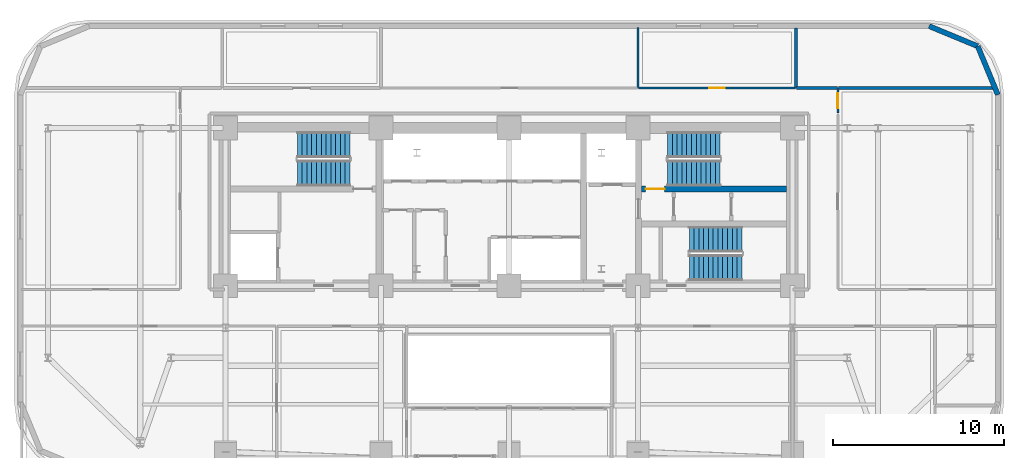
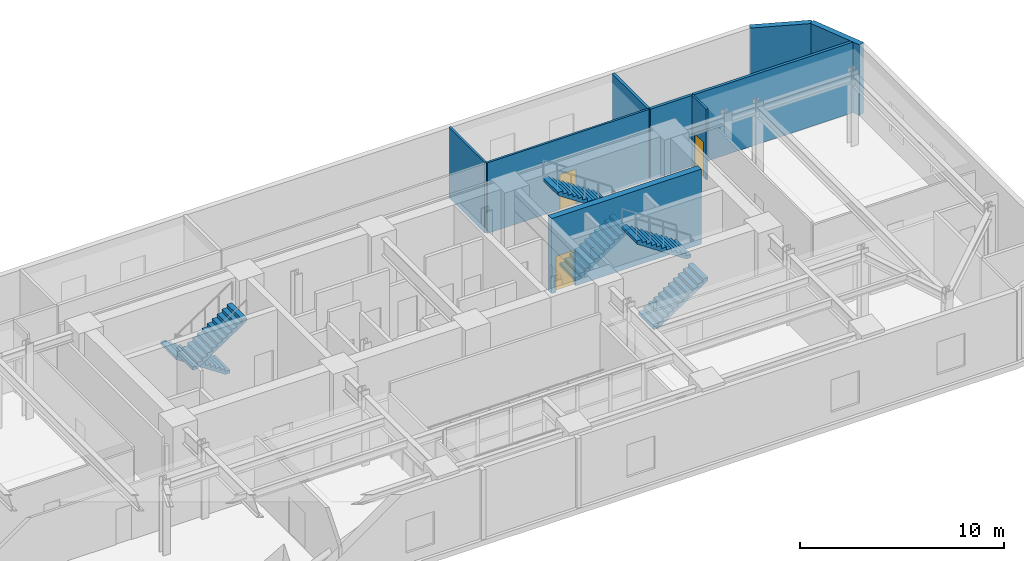
# One storey, part 11 of 14: 9 walls, 6 stair flights, 3 doors, 3 openings, 3 elements without a shape of their own.
"""IFC4 building model written with IfcOpenShell, lengths in metres."""

from ifc_helpers import new_model, si_unit, direction, frame, frame_2d, origin, place, context, subcontext, project, spatial, polyline, rectangle, outline, extrude, material, layer, layer_set, type_object, element, fill, aggregate, save


model = new_model("IFC4")

# Units and contexts
model_context = context("Model", 3, precision=1e-05, world=origin(), true_north=direction((0.0, 1.0)))
body_context = subcontext(model_context, "Body", "Model", "MODEL_VIEW")
ifc_project = project(units=[si_unit("LENGTHUNIT", "METRE"), si_unit("AREAUNIT", "SQUARE_METRE"), si_unit("VOLUMEUNIT", "CUBIC_METRE"), si_unit("PLANEANGLEUNIT", "RADIAN"), si_unit("MASSUNIT", "GRAM", prefix="KILO")], contexts=[model_context])

# Site, building, storey
site_placement = place(None, origin())
site = spatial("IfcSite", under=ifc_project, at=site_placement, CompositionType="ELEMENT")
building_placement = place(site_placement, origin())
building = spatial("IfcBuilding", under=site, at=building_placement, Name="Zarnavel Station Tower", CompositionType="ELEMENT")
storey_placement = place(building_placement, frame((0.0, 0.0, 89.800048828125)))
storey = spatial("IfcBuildingStorey", under=building, at=storey_placement, Name="L24", CompositionType="ELEMENT", Elevation=89.800048828125)

# Wall, opening, door
ifc_material_1 = material(Name="Concrete C50/60", Category="concrete")
ifc_layer_1 = layer(ifc_material_1, 0.35009765625)
ifc_layer_set_1 = layer_set([ifc_layer_1], Name="CW_350")
wall_type_1 = type_object("IfcWallType", Name="CW_350", PredefinedType="SHEAR", material=ifc_layer_set_1)
wall_1_placement = place(storey_placement, frame((45.054931640625, 33.47998046875, 0.0), z_axis=(0.0, 0.0, 1.0), x_axis=(-1.0, 0.0, 0.0)))
wall_1 = element("IfcWall", 1, at=wall_1_placement, inside=storey, type_object=wall_type_1, Name="L24 Rear Core Shear Wall DIV-H2", PredefinedType="SHEAR", context=body_context, shape_type="SweptSolid", body=[
    extrude(rectangle(XDim=8.5, YDim=0.35009765625, at=frame_2d((4.25, 0.0))), origin(), (0.0, 0.0, 1.0), 4.5),
])
opening_1_placement = place(wall_1_placement, frame((7.155029296875, 0.0, 0.0)))
opening_1 = element("IfcOpeningElement", 2, at=opening_1_placement, cuts=wall_1, Name="Opening FD01", PredefinedType="OPENING", context=body_context, shape_type="SweptSolid", body=[
    extrude(rectangle(XDim=1.10009765625, YDim=2.14990234375, at=frame_2d((0.550048828125, 1.074951171875))), frame((0.0, 0.18505859375, 0.0), z_axis=(0.0, -1.0, 0.0), x_axis=(1.0, 0.0, 0.0)), (0.0, 0.0, 1.0), 0.3701171875),
])
ifc_material_2 = material(Name="Painted Galvanised Steel and Hardwood Leaf", Category="steel")
door_type_1 = type_object("IfcDoorType", Name="ID_STAIR_1100", OperationType="NOTDEFINED", PredefinedType="DOOR", material=ifc_material_2)
door_1_placement = place(opening_1_placement, origin())
door_1 = element("IfcDoor", 3, at=door_1_placement, inside=storey, type_object=door_type_1, Name="L24 Stair ST2 Lobby Fire Door", OperationType="SINGLE_SWING_RIGHT", OverallHeight=2.14990234375, OverallWidth=1.10009765625, PredefinedType="DOOR", context=body_context, shape_type="SweptSolid", body=[
    extrude(rectangle(XDim=1.10009765625, YDim=2.14990234375, at=frame_2d((0.550048828125, 1.074951171875))), frame((0.0, 0.02490234375, 0.0), z_axis=(0.0, -1.0, 0.0), x_axis=(1.0, 0.0, 0.0)), (0.0, 0.0, 1.0), 0.050048828125),
])
fill(opening_1, door_1)

# Walls
ifc_material_3 = material(Name="Precast concrete C45/55 (Dark Basalt Finish)", Category="masonry")
ifc_layer_2 = layer(ifc_material_3, 0.300048828125)
ifc_layer_set_2 = layer_set([ifc_layer_2], Name="EW_BASALT_300")
wall_type_2 = type_object("IfcWallType", Name="EW_BASALT_300", PredefinedType="SOLIDWALL", material=ifc_layer_set_2)
wall_2_placement = place(storey_placement, frame((56.24267578125, 41.842529296875, 0.0), z_axis=(0.0, 0.0, 1.0), x_axis=(0.382636798336, -0.92389884758, 0.0)))
element("IfcWall", 4, at=wall_2_placement, inside=storey, type_object=wall_type_2, Name="L24 Exterior Basalt Masonry Frame Wall 04", PredefinedType="SOLIDWALL", context=body_context, shape_type="SweptSolid", body=[
    extrude(rectangle(XDim=3.07666015625, YDim=0.300048828125, at=frame_2d((1.538330078125, 0.0))), origin(), (0.0, 0.0, 1.0), 4.239990234375),
])
wall_3_placement = place(storey_placement, frame((53.39990234375, 43.02001953125, 0.0), z_axis=(0.0, 0.0, 1.0), x_axis=(0.923882414032, -0.382676475685, 0.0)))
element("IfcWall", 5, at=wall_3_placement, inside=storey, type_object=wall_type_2, Name="L24 Exterior Basalt Masonry Frame Wall 05", PredefinedType="SOLIDWALL", context=body_context, shape_type="SweptSolid", body=[
    extrude(rectangle(XDim=3.076904296875, YDim=0.300048828125, at=frame_2d((1.53857421875, 0.0))), origin(), (0.0, 0.0, 1.0), 4.239990234375),
])
ifc_material_4 = material(Name="Gypsum Twin-Stud Acoustic Fire Partition", Category="concrete")
ifc_layer_3 = layer(ifc_material_4, 0.159912109375)
ifc_layer_set_3 = layer_set([ifc_layer_3], Name="PT_DEMISE_160")
wall_type_3 = type_object("IfcWallType", Name="PT_DEMISE_160", PredefinedType="PARTITIONING", material=ifc_layer_set_3)
wall_4_placement = place(storey_placement, frame((45.6298828125, 39.39990234375, 0.0), z_axis=(0.0, 0.0, 1.0), x_axis=(1.0, 0.0, 0.0)))
element("IfcWall", 6, at=wall_4_placement, inside=storey, type_object=wall_type_3, Name="L24 Enclosure Wall SLCOR-N", PredefinedType="PARTITIONING", context=body_context, shape_type="SweptSolid", body=[
    extrude(rectangle(XDim=2.39013671875, YDim=0.159912109375, at=frame_2d((1.195068359375, 0.0))), origin(), (0.0, 0.0, 1.0), 4.239990234375),
])
wall_5_placement = place(storey_placement, frame((48.080078125, 39.39990234375, 0.0), z_axis=(0.0, 0.0, 1.0), x_axis=(1.0, 0.0, 0.0)))
element("IfcWall", 7, at=wall_5_placement, inside=storey, type_object=wall_type_3, Name="L24 Enclosure Wall SLNE", PredefinedType="PARTITIONING", context=body_context, shape_type="SweptSolid", body=[
    extrude(rectangle(XDim=9.22998046875, YDim=0.159912109375, at=frame_2d((4.614990234375, 0.0))), origin(), (0.0, 0.0, 1.0), 4.239990234375),
])
wall_6_placement = place(storey_placement, frame((45.60009765625, 39.429931640625, 0.0), z_axis=(0.0, 0.0, 1.0), x_axis=(0.0, 1.0, 0.0)))
element("IfcWall", 8, at=wall_6_placement, inside=storey, type_object=wall_type_3, Name="L24 Enclosure Wall SLNB", PredefinedType="PARTITIONING", context=body_context, shape_type="SweptSolid", body=[
    extrude(rectangle(XDim=3.47998046875, YDim=0.159912109375, at=frame_2d((1.739990234375, 0.0))), origin(), (0.0, 0.0, 1.0), 4.239990234375),
])

# Wall, opening, door
ifc_material_5 = material(Name="Gypsum Metal-Stud Interior Partition", Category="concrete")
ifc_layer_4 = layer(ifc_material_5, 0.1201171875)
ifc_layer_set_4 = layer_set([ifc_layer_4], Name="PT_ROOM_120")
wall_type_4 = type_object("IfcWallType", Name="PT_ROOM_120", PredefinedType="PARTITIONING", material=ifc_layer_set_4)
wall_7_placement = place(storey_placement, frame((48.050048828125, 37.93994140625, 0.0), z_axis=(0.0, 0.0, 1.0), x_axis=(0.0, 1.0, 0.0)))
wall_7 = element("IfcWall", 9, at=wall_7_placement, inside=storey, type_object=wall_type_4, Name="L24 Partition SLCOR-N-SLNE", PredefinedType="PARTITIONING", context=body_context, shape_type="SweptSolid", body=[
    extrude(rectangle(XDim=1.420166015625, YDim=0.1201171875, at=frame_2d((0.7099609375, 0.0))), origin(), (0.0, 0.0, 1.0), 4.239990234375),
])
opening_2_placement = place(wall_7_placement, frame((0.260009765625, 0.0, 0.0)))
opening_2 = element("IfcOpeningElement", 10, at=opening_2_placement, cuts=wall_7, Name="Opening ID01", PredefinedType="OPENING", context=body_context, shape_type="SweptSolid", body=[
    extrude(rectangle(XDim=0.89990234375, YDim=2.10009765625, at=frame_2d((0.449951171875, 1.050048828125))), frame((0.0, 0.070068359375, 0.0), z_axis=(0.0, -1.0, 0.0), x_axis=(1.0, 0.0, 0.0)), (0.0, 0.0, 1.0), 0.14013671875),
])
ifc_material_6 = material(Name="Painted Galvanised Steel and Hardwood Leaf", Category="steel")
door_type_2 = type_object("IfcDoorType", Name="ID_ROOM_900", OperationType="NOTDEFINED", PredefinedType="DOOR", material=ifc_material_6)
door_2_placement = place(opening_2_placement, origin())
door_2 = element("IfcDoor", 11, at=door_2_placement, inside=storey, type_object=door_type_2, Name="L24 Door SLCOR-N-SLNE", OperationType="SINGLE_SWING_LEFT", OverallHeight=2.10009765625, OverallWidth=0.89990234375, PredefinedType="DOOR", context=body_context, shape_type="SweptSolid", body=[
    extrude(rectangle(XDim=0.89990234375, YDim=2.10009765625, at=frame_2d((0.449951171875, 1.050048828125))), frame((0.0, 0.02490234375, 0.0), z_axis=(0.0, -1.0, 0.0), x_axis=(1.0, 0.0, 0.0)), (0.0, 0.0, 1.0), 0.050048828125),
])
fill(opening_2, door_2)

wall_8_placement = place(storey_placement, frame((36.389892578125, 39.39990234375, 0.0), z_axis=(0.0, 0.0, 1.0), x_axis=(1.0, 0.0, 0.0)))
wall_8 = element("IfcWall", 12, at=wall_8_placement, inside=storey, type_object=wall_type_4, Name="L24 Partition SLCOR-N-SLNB", PredefinedType="PARTITIONING", context=body_context, shape_type="SweptSolid", body=[
    extrude(rectangle(XDim=9.170166015625, YDim=0.1201171875, at=frame_2d((4.5849609375, 0.0))), origin(), (0.0, 0.0, 1.0), 4.239990234375),
])
opening_3_placement = place(wall_8_placement, frame((4.135009765625, 0.0, 0.0)))
opening_3 = element("IfcOpeningElement", 13, at=opening_3_placement, cuts=wall_8, Name="Opening ID01", PredefinedType="OPENING", context=body_context, shape_type="SweptSolid", body=[
    extrude(rectangle(XDim=0.89990234375, YDim=2.10009765625, at=frame_2d((0.449951171875, 1.050048828125))), frame((0.0, 0.070068359375, 0.0), z_axis=(0.0, -1.0, 0.0), x_axis=(1.0, 0.0, 0.0)), (0.0, 0.0, 1.0), 0.14013671875),
])
door_3_placement = place(opening_3_placement, origin())
door_3 = element("IfcDoor", 14, at=door_3_placement, inside=storey, type_object=door_type_2, Name="L24 Door SLCOR-N-SLNB", OperationType="SINGLE_SWING_RIGHT", OverallHeight=2.10009765625, OverallWidth=0.89990234375, PredefinedType="DOOR", context=body_context, shape_type="SweptSolid", body=[
    extrude(rectangle(XDim=0.89990234375, YDim=2.10009765625, at=frame_2d((0.449951171875, 1.050048828125))), frame((0.0, 0.02490234375, 0.0), z_axis=(0.0, -1.0, 0.0), x_axis=(1.0, 0.0, 0.0)), (0.0, 0.0, 1.0), 0.050048828125),
])
fill(opening_3, door_3)

# Wall
wall_9_placement = place(storey_placement, frame((36.35009765625, 39.43994140625, 0.0), z_axis=(0.0, 0.0, 1.0), x_axis=(0.0, 1.0, 0.0)))
element("IfcWall", 15, at=wall_9_placement, inside=storey, type_object=wall_type_4, Name="L24 Partition SLNS-SLNB", PredefinedType="PARTITIONING", context=body_context, shape_type="SweptSolid", body=[
    extrude(rectangle(XDim=3.5, YDim=0.1201171875, at=frame_2d((1.75, 0.0))), origin(), (0.0, 0.0, 1.0), 4.239990234375),
])

# Stair, stair flights
ifc_material_7 = material(Name="Concrete C45/55", Category="concrete")
stair_type = type_object("IfcStairType", Name="ST_CORE_150", PredefinedType="HALF_TURN_STAIR", material=ifc_material_7)
stair_1_placement = place(storey_placement, origin())
stair_1 = element("IfcStair", 16, at=stair_1_placement, inside=storey, type_object=stair_type, Name="L24 Core Exit Stair ST1", PredefinedType="HALF_TURN_STAIR")
ifc_material_8 = material(Name="Concrete C45/55", Category="concrete")
ifc_layer_5 = layer(ifc_material_8, 0.179931640625)
ifc_layer_set_5 = layer_set([ifc_layer_5], Name="ST_CORE_150_FLT")
stair_flight_type = type_object("IfcStairFlightType", Name="ST_CORE_150_FLT", PredefinedType="STRAIGHT", material=ifc_layer_set_5)
stair_flight_1_placement = place(storey_placement, frame((19.47998046875, 36.070068359375, 0.0), z_axis=(0.0, 0.0, 1.0), x_axis=(-1.0, 0.0, 0.0)))
stair_flight_1 = element("IfcStairFlight", 17, at=stair_flight_1_placement, type_object=stair_flight_type, Name="ST1 flight 1", NumberOfRisers=12, NumberOfTreads=11, PredefinedType="STRAIGHT", RiserHeight=0.1875, TreadLength=0.28, context=body_context, shape_type="SweptSolid", body=[
    extrude(outline(polyline([(0.0, 0.0), (0.0, 0.1875), (0.280029296875, 0.1875), (0.280029296875, 0.375), (0.56005859375, 0.375), (0.56005859375, 0.5625), (0.840087890625, 0.5625), (0.840087890625, 0.75), (1.1201171875, 0.75), (1.1201171875, 0.9375), (1.39990234375, 0.9375), (1.39990234375, 1.125), (1.679931640625, 1.125), (1.679931640625, 1.3125), (1.9599609375, 1.3125), (1.9599609375, 1.5), (2.239990234375, 1.5), (2.239990234375, 1.6875), (2.52001953125, 1.6875), (2.52001953125, 1.875), (2.800048828125, 1.875), (2.800048828125, 2.0625), (3.080078125, 2.0625), (3.080078125, 2.25), (3.080078125, 1.882080078125), (0.26953125, 0.0), (0.0, 0.0)])), frame((0.0, 0.75, 0.0), z_axis=(0.0, -1.0, 0.0), x_axis=(1.0, 0.0, 0.0)), (0.0, 0.0, 1.0), 1.5),
])
stair_flight_2_placement = place(storey_placement, frame((16.39990234375, 34.409912109375, 2.25), z_axis=(0.0, 0.0, 1.0), x_axis=(1.0, 0.0, 0.0)))
stair_flight_2 = element("IfcStairFlight", 18, at=stair_flight_2_placement, type_object=stair_flight_type, Name="ST1 flight 2", NumberOfRisers=12, NumberOfTreads=11, PredefinedType="STRAIGHT", RiserHeight=0.1875, TreadLength=0.28, context=body_context, shape_type="SweptSolid", body=[
    extrude(outline(polyline([(0.0, 0.0), (0.0, 0.1875), (0.280029296875, 0.1875), (0.280029296875, 0.375), (0.56005859375, 0.375), (0.56005859375, 0.5625), (0.840087890625, 0.5625), (0.840087890625, 0.75), (1.1201171875, 0.75), (1.1201171875, 0.9375), (1.39990234375, 0.9375), (1.39990234375, 1.125), (1.679931640625, 1.125), (1.679931640625, 1.3125), (1.9599609375, 1.3125), (1.9599609375, 1.5), (2.239990234375, 1.5), (2.239990234375, 1.6875), (2.52001953125, 1.6875), (2.52001953125, 1.875), (2.800048828125, 1.875), (2.800048828125, 2.0625), (3.080078125, 2.0625), (3.080078125, 2.25), (3.080078125, 1.882080078125), (0.26953125, 0.0), (0.0, 0.0)])), frame((0.0, 0.75, 0.0), z_axis=(0.0, -1.0, 0.0), x_axis=(1.0, 0.0, 0.0)), (0.0, 0.0, 1.0), 1.5),
])
aggregate(stair_1, [stair_flight_1, stair_flight_2])

stair_2_placement = place(storey_placement, origin())
stair_2 = element("IfcStair", 19, at=stair_2_placement, inside=storey, type_object=stair_type, Name="L24 Core Exit Stair ST2", PredefinedType="HALF_TURN_STAIR")
stair_flight_3_placement = place(storey_placement, frame((38.080078125, 34.409912109375, 0.0), z_axis=(0.0, 0.0, 1.0), x_axis=(1.0, 0.0, 0.0)))
stair_flight_3 = element("IfcStairFlight", 20, at=stair_flight_3_placement, type_object=stair_flight_type, Name="ST2 flight 1", NumberOfRisers=12, NumberOfTreads=11, PredefinedType="STRAIGHT", RiserHeight=0.1875, TreadLength=0.28, context=body_context, shape_type="SweptSolid", body=[
    extrude(outline(polyline([(0.0, 0.0), (0.0, 0.1875), (0.280029296875, 0.1875), (0.280029296875, 0.375), (0.56005859375, 0.375), (0.56005859375, 0.5625), (0.840087890625, 0.5625), (0.840087890625, 0.75), (1.1201171875, 0.75), (1.1201171875, 0.9375), (1.39990234375, 0.9375), (1.39990234375, 1.125), (1.679931640625, 1.125), (1.679931640625, 1.3125), (1.9599609375, 1.3125), (1.9599609375, 1.5), (2.239990234375, 1.5), (2.239990234375, 1.6875), (2.52001953125, 1.6875), (2.52001953125, 1.875), (2.800048828125, 1.875), (2.800048828125, 2.0625), (3.080078125, 2.0625), (3.080078125, 2.25), (3.080078125, 1.882080078125), (0.26953125, 0.0), (0.0, 0.0)])), frame((0.0, 0.75, 0.0), z_axis=(0.0, -1.0, 0.0), x_axis=(1.0, 0.0, 0.0)), (0.0, 0.0, 1.0), 1.5),
])
stair_flight_4_placement = place(storey_placement, frame((41.159912109375, 36.070068359375, 2.25), z_axis=(0.0, 0.0, 1.0), x_axis=(-1.0, 0.0, 0.0)))
stair_flight_4 = element("IfcStairFlight", 21, at=stair_flight_4_placement, type_object=stair_flight_type, Name="ST2 flight 2", NumberOfRisers=12, NumberOfTreads=11, PredefinedType="STRAIGHT", RiserHeight=0.1875, TreadLength=0.28, context=body_context, shape_type="SweptSolid", body=[
    extrude(outline(polyline([(0.0, 0.0), (0.0, 0.1875), (0.280029296875, 0.1875), (0.280029296875, 0.375), (0.56005859375, 0.375), (0.56005859375, 0.5625), (0.840087890625, 0.5625), (0.840087890625, 0.75), (1.1201171875, 0.75), (1.1201171875, 0.9375), (1.39990234375, 0.9375), (1.39990234375, 1.125), (1.679931640625, 1.125), (1.679931640625, 1.3125), (1.9599609375, 1.3125), (1.9599609375, 1.5), (2.239990234375, 1.5), (2.239990234375, 1.6875), (2.52001953125, 1.6875), (2.52001953125, 1.875), (2.800048828125, 1.875), (2.800048828125, 2.0625), (3.080078125, 2.0625), (3.080078125, 2.25), (3.080078125, 1.882080078125), (0.26953125, 0.0), (0.0, 0.0)])), frame((0.0, 0.75, 0.0), z_axis=(0.0, -1.0, 0.0), x_axis=(1.0, 0.0, 0.0)), (0.0, 0.0, 1.0), 1.5),
])
aggregate(stair_2, [stair_flight_3, stair_flight_4])

stair_3_placement = place(storey_placement, origin())
stair_3 = element("IfcStair", 22, at=stair_3_placement, inside=storey, type_object=stair_type, Name="L24 Core Exit Stair ST3", PredefinedType="HALF_TURN_STAIR")
stair_flight_5_placement = place(storey_placement, frame((39.35009765625, 28.8701171875, 0.0), z_axis=(0.0, 0.0, 1.0), x_axis=(1.0, 0.0, 0.0)))
stair_flight_5 = element("IfcStairFlight", 23, at=stair_flight_5_placement, type_object=stair_flight_type, Name="ST3 flight 1", NumberOfRisers=12, NumberOfTreads=11, PredefinedType="STRAIGHT", RiserHeight=0.1875, TreadLength=0.28, context=body_context, shape_type="SweptSolid", body=[
    extrude(outline(polyline([(0.0, 0.0), (0.0, 0.1875), (0.280029296875, 0.1875), (0.280029296875, 0.375), (0.56005859375, 0.375), (0.56005859375, 0.5625), (0.840087890625, 0.5625), (0.840087890625, 0.75), (1.1201171875, 0.75), (1.1201171875, 0.9375), (1.39990234375, 0.9375), (1.39990234375, 1.125), (1.679931640625, 1.125), (1.679931640625, 1.3125), (1.9599609375, 1.3125), (1.9599609375, 1.5), (2.239990234375, 1.5), (2.239990234375, 1.6875), (2.52001953125, 1.6875), (2.52001953125, 1.875), (2.800048828125, 1.875), (2.800048828125, 2.0625), (3.080078125, 2.0625), (3.080078125, 2.25), (3.080078125, 1.882080078125), (0.26953125, 0.0), (0.0, 0.0)])), frame((0.0, 0.75, 0.0), z_axis=(0.0, -1.0, 0.0), x_axis=(1.0, 0.0, 0.0)), (0.0, 0.0, 1.0), 1.5),
])
stair_flight_6_placement = place(storey_placement, frame((42.429931640625, 30.530029296875, 2.25), z_axis=(0.0, 0.0, 1.0), x_axis=(-1.0, 0.0, 0.0)))
stair_flight_6 = element("IfcStairFlight", 24, at=stair_flight_6_placement, type_object=stair_flight_type, Name="ST3 flight 2", NumberOfRisers=12, NumberOfTreads=11, PredefinedType="STRAIGHT", RiserHeight=0.1875, TreadLength=0.28, context=body_context, shape_type="SweptSolid", body=[
    extrude(outline(polyline([(0.0, 0.0), (0.0, 0.1875), (0.280029296875, 0.1875), (0.280029296875, 0.375), (0.56005859375, 0.375), (0.56005859375, 0.5625), (0.840087890625, 0.5625), (0.840087890625, 0.75), (1.1201171875, 0.75), (1.1201171875, 0.9375), (1.39990234375, 0.9375), (1.39990234375, 1.125), (1.679931640625, 1.125), (1.679931640625, 1.3125), (1.9599609375, 1.3125), (1.9599609375, 1.5), (2.239990234375, 1.5), (2.239990234375, 1.6875), (2.52001953125, 1.6875), (2.52001953125, 1.875), (2.800048828125, 1.875), (2.800048828125, 2.0625), (3.080078125, 2.0625), (3.080078125, 2.25), (3.080078125, 1.882080078125), (0.26953125, 0.0), (0.0, 0.0)])), frame((0.0, 0.75, 0.0), z_axis=(0.0, -1.0, 0.0), x_axis=(1.0, 0.0, 0.0)), (0.0, 0.0, 1.0), 1.5),
])
aggregate(stair_3, [stair_flight_5, stair_flight_6])

save(model, "model.ifc")
